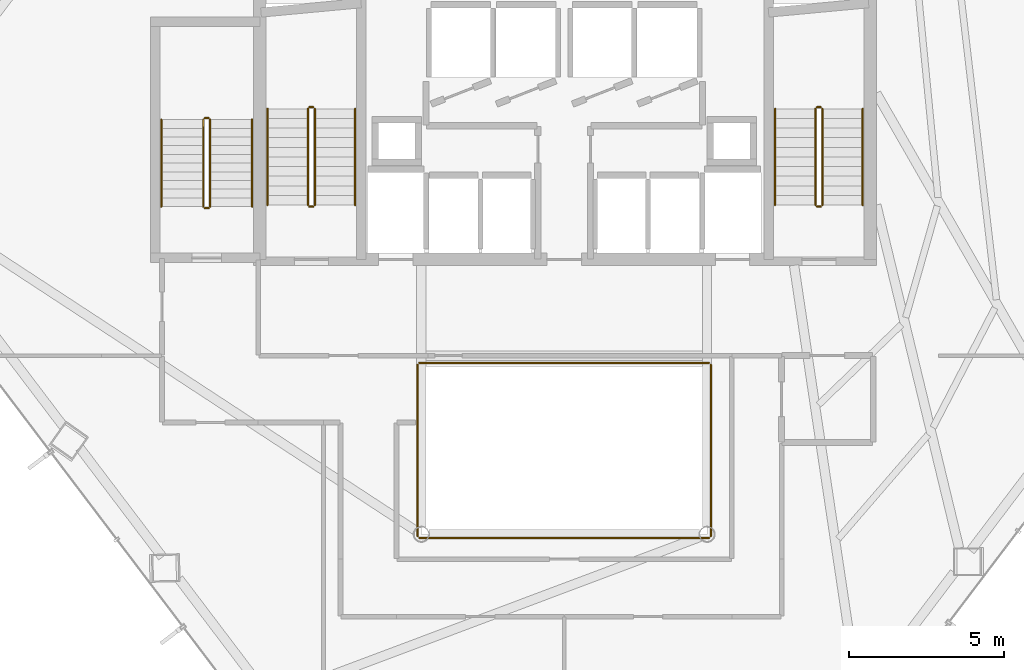
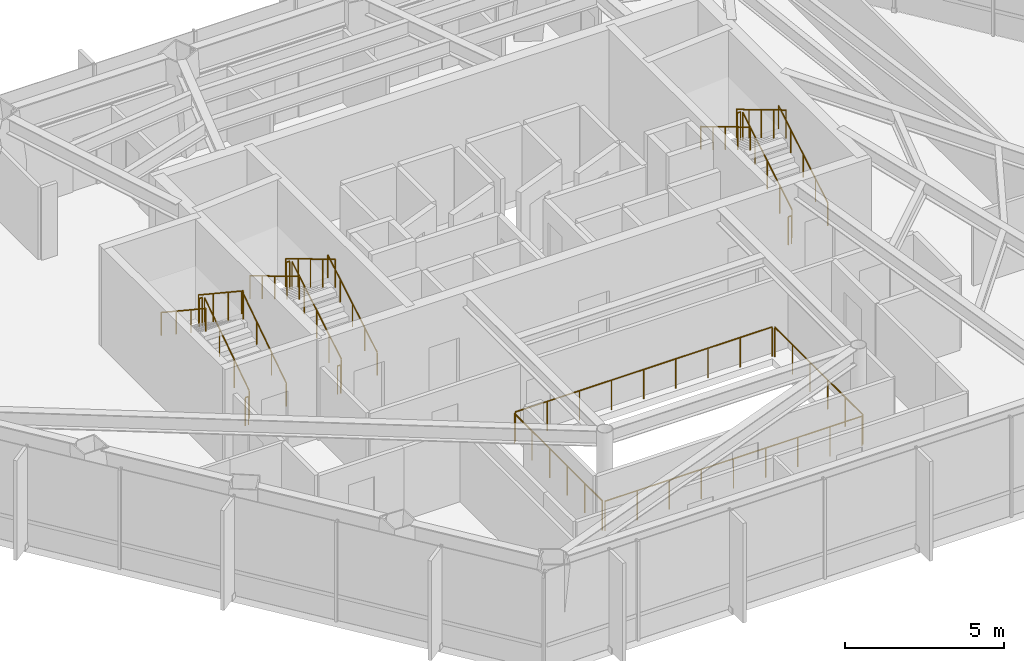
# One storey, part 27 of 27: 22 railings.
"""IFC4 building model written with IfcOpenShell, lengths in metres."""

from ifc_helpers import new_model, si_unit, direction, frame, origin, origin_2d, place, context, subcontext, project, spatial, circle, extrude, material, type_object, element, save


model = new_model("IFC4")

# Units and contexts
model_context = context("Model", 3, precision=1e-05, world=origin(), true_north=direction((0.0, 1.0)))
body_context = subcontext(model_context, "Body", "Model", "MODEL_VIEW")
ifc_project = project(units=[si_unit("LENGTHUNIT", "METRE"), si_unit("AREAUNIT", "SQUARE_METRE"), si_unit("VOLUMEUNIT", "CUBIC_METRE"), si_unit("PLANEANGLEUNIT", "RADIAN"), si_unit("MASSUNIT", "GRAM", prefix="KILO")], contexts=[model_context])

# Site, building, storey
site_placement = place(None, origin())
site = spatial("IfcSite", under=ifc_project, at=site_placement, CompositionType="ELEMENT")
building_placement = place(site_placement, origin())
building = spatial("IfcBuilding", under=site, at=building_placement, Name="Zarrinselat Tower", CompositionType="ELEMENT")
storey_placement = place(building_placement, frame((0.0, 0.0, 80.580078125)))
storey = spatial("IfcBuildingStorey", under=building, at=storey_placement, Name="L19", CompositionType="ELEMENT", Elevation=80.580078125)

# Railings
ifc_material_1 = material(Name="Double Low-E Laminated Solar Glass", Category="glass")
railing_type_1 = type_object("IfcRailingType", Name="RLG-ATRIUM-BAL", PredefinedType="BALUSTRADE", material=ifc_material_1)
railing_1_placement = place(storey_placement, frame((33.739990234375, 24.280029296875, 0.0)))
element("IfcRailing", 1, at=railing_1_placement, inside=storey, type_object=railing_type_1, Name="L19 Atrium Void Glass Balustrade S", PredefinedType="BALUSTRADE", context=body_context, shape_type="SweptSolid", body=[
    extrude(circle(Radius=0.02392578125, at=origin_2d()), frame((0.0, 0.0, 1.1259765625), z_axis=(1.0, 0.0, 0.0), x_axis=(0.0, 1.0, 0.0)), (0.0, 0.0, 1.0), 9.320068359375),
    extrude(circle(Radius=0.02099609375, at=origin_2d()), origin(), (0.0, 0.0, 1.0), 1.099853515625),
    extrude(circle(Radius=0.02099609375, at=origin_2d()), frame((1.1650390625, 0.0, 0.0)), (0.0, 0.0, 1.0), 1.099853515625),
    extrude(circle(Radius=0.02099609375, at=origin_2d()), frame((2.330078125, 0.0, 0.0)), (0.0, 0.0, 1.0), 1.099853515625),
    extrude(circle(Radius=0.02099609375, at=origin_2d()), frame((3.4951171875, 0.0, 0.0)), (0.0, 0.0, 1.0), 1.099853515625),
    extrude(circle(Radius=0.02099609375, at=origin_2d()), frame((4.66015625, 0.0, 0.0)), (0.0, 0.0, 1.0), 1.099853515625),
    extrude(circle(Radius=0.02099609375, at=origin_2d()), frame((5.824951171875, 0.0, 0.0)), (0.0, 0.0, 1.0), 1.099853515625),
    extrude(circle(Radius=0.02099609375, at=origin_2d()), frame((6.989990234375, 0.0, 0.0)), (0.0, 0.0, 1.0), 1.099853515625),
    extrude(circle(Radius=0.02099609375, at=origin_2d()), frame((8.155029296875, 0.0, 0.0)), (0.0, 0.0, 1.0), 1.099853515625),
    extrude(circle(Radius=0.02099609375, at=origin_2d()), frame((9.320068359375, 0.0, 0.0)), (0.0, 0.0, 1.0), 1.099853515625),
])
railing_2_placement = place(storey_placement, frame((43.1201171875, 24.340087890625, 0.0)))
element("IfcRailing", 2, at=railing_2_placement, inside=storey, type_object=railing_type_1, Name="L19 Atrium Void Glass Balustrade E", PredefinedType="BALUSTRADE", context=body_context, shape_type="SweptSolid", body=[
    extrude(circle(Radius=0.02392578125, at=origin_2d()), frame((0.0, 0.0, 1.1259765625), z_axis=(0.0, 1.0, 0.0), x_axis=(-1.0, 0.0, 0.0)), (0.0, 0.0, 1.0), 5.52001953125),
    extrude(circle(Radius=0.02099609375, at=origin_2d()), origin(), (0.0, 0.0, 1.0), 1.099853515625),
    extrude(circle(Radius=0.02099609375, at=origin_2d()), frame((0.0, 1.10400390625, 0.0)), (0.0, 0.0, 1.0), 1.099853515625),
    extrude(circle(Radius=0.02099609375, at=origin_2d()), frame((0.0, 2.2080078125, 0.0)), (0.0, 0.0, 1.0), 1.099853515625),
    extrude(circle(Radius=0.02099609375, at=origin_2d()), frame((0.0, 3.31201171875, 0.0)), (0.0, 0.0, 1.0), 1.099853515625),
    extrude(circle(Radius=0.02099609375, at=origin_2d()), frame((0.0, 4.416015625, 0.0)), (0.0, 0.0, 1.0), 1.099853515625),
    extrude(circle(Radius=0.02099609375, at=origin_2d()), frame((0.0, 5.52001953125, 0.0)), (0.0, 0.0, 1.0), 1.099853515625),
])
railing_3_placement = place(storey_placement, frame((43.06005859375, 29.919921875, 0.0)))
element("IfcRailing", 3, at=railing_3_placement, inside=storey, type_object=railing_type_1, Name="L19 Atrium Void Glass Balustrade N", PredefinedType="BALUSTRADE", context=body_context, shape_type="SweptSolid", body=[
    extrude(circle(Radius=0.02392578125, at=origin_2d()), frame((0.0, 0.0, 1.1259765625), z_axis=(-1.0, 0.0, 0.0), x_axis=(0.0, -1.0, 0.0)), (0.0, 0.0, 1.0), 9.320068359375),
    extrude(circle(Radius=0.02099609375, at=origin_2d()), origin(), (0.0, 0.0, 1.0), 1.099853515625),
    extrude(circle(Radius=0.02099609375, at=origin_2d()), frame((-1.1650390625, 0.0, 0.0)), (0.0, 0.0, 1.0), 1.099853515625),
    extrude(circle(Radius=0.02099609375, at=origin_2d()), frame((-2.330078125, 0.0, 0.0)), (0.0, 0.0, 1.0), 1.099853515625),
    extrude(circle(Radius=0.02099609375, at=origin_2d()), frame((-3.4951171875, 0.0, 0.0)), (0.0, 0.0, 1.0), 1.099853515625),
    extrude(circle(Radius=0.02099609375, at=origin_2d()), frame((-4.66015625, 0.0, 0.0)), (0.0, 0.0, 1.0), 1.099853515625),
    extrude(circle(Radius=0.02099609375, at=origin_2d()), frame((-5.824951171875, 0.0, 0.0)), (0.0, 0.0, 1.0), 1.099853515625),
    extrude(circle(Radius=0.02099609375, at=origin_2d()), frame((-6.989990234375, 0.0, 0.0)), (0.0, 0.0, 1.0), 1.099853515625),
    extrude(circle(Radius=0.02099609375, at=origin_2d()), frame((-8.155029296875, 0.0, 0.0)), (0.0, 0.0, 1.0), 1.099853515625),
    extrude(circle(Radius=0.02099609375, at=origin_2d()), frame((-9.320068359375, 0.0, 0.0)), (0.0, 0.0, 1.0), 1.099853515625),
])
railing_4_placement = place(storey_placement, frame((33.679931640625, 29.860107421875, 0.0)))
element("IfcRailing", 4, at=railing_4_placement, inside=storey, type_object=railing_type_1, Name="L19 Atrium Void Glass Balustrade W", PredefinedType="BALUSTRADE", context=body_context, shape_type="SweptSolid", body=[
    extrude(circle(Radius=0.02392578125, at=origin_2d()), frame((0.0, 0.0, 1.1259765625), z_axis=(0.0, -1.0, 0.0), x_axis=(1.0, 0.0, 0.0)), (0.0, 0.0, 1.0), 5.52001953125),
    extrude(circle(Radius=0.02099609375, at=origin_2d()), origin(), (0.0, 0.0, 1.0), 1.099853515625),
    extrude(circle(Radius=0.02099609375, at=origin_2d()), frame((0.0, -1.10400390625, 0.0)), (0.0, 0.0, 1.0), 1.099853515625),
    extrude(circle(Radius=0.02099609375, at=origin_2d()), frame((0.0, -2.2080078125, 0.0)), (0.0, 0.0, 1.0), 1.099853515625),
    extrude(circle(Radius=0.02099609375, at=origin_2d()), frame((0.0, -3.31201171875, 0.0)), (0.0, 0.0, 1.0), 1.099853515625),
    extrude(circle(Radius=0.02099609375, at=origin_2d()), frame((0.0, -4.416015625, 0.0)), (0.0, 0.0, 1.0), 1.099853515625),
    extrude(circle(Radius=0.02099609375, at=origin_2d()), frame((0.0, -5.52001953125, 0.0)), (0.0, 0.0, 1.0), 1.099853515625),
])
ifc_material_2 = material(Name="Steel S355J2", Category="steel")
railing_type_2 = type_object("IfcRailingType", Name="RLG-STAIR-GUARD", PredefinedType="GUARDRAIL", material=ifc_material_2)
railing_5_placement = place(storey_placement, frame((30.3701171875, 35.0, 0.185302734375)))
element("IfcRailing", 5, at=railing_5_placement, inside=storey, type_object=railing_type_2, Name="L19 ST-1 stair guard 1", PredefinedType="GUARDRAIL", context=body_context, shape_type="SweptSolid", body=[
    extrude(circle(Radius=0.02392578125, at=origin_2d()), frame((0.0, 0.0, 1.076171875), z_axis=(0.0, 0.858142210651, 0.513412062869), x_axis=(-1.0, 0.0, 0.0)), (0.0, 0.0, 1.0), 3.612548828125),
    extrude(circle(Radius=0.02099609375, at=origin_2d()), origin(), (0.0, 0.0, 1.0), 1.050048828125),
    extrude(circle(Radius=0.02099609375, at=origin_2d()), frame((0.0, 0.77490234375, 0.463623046875)), (0.0, 0.0, 1.0), 1.050048828125),
    extrude(circle(Radius=0.02099609375, at=origin_2d()), frame((0.0, 1.550048828125, 0.92724609375)), (0.0, 0.0, 1.0), 1.050048828125),
    extrude(circle(Radius=0.02099609375, at=origin_2d()), frame((0.0, 2.3251953125, 1.39111328125)), (0.0, 0.0, 1.0), 1.050048828125),
    extrude(circle(Radius=0.02099609375, at=origin_2d()), frame((0.0, 3.10009765625, 1.854736328125)), (0.0, 0.0, 1.0), 1.050048828125),
])
railing_6_placement = place(storey_placement, frame((30.320068359375, 38.14990234375, 2.0400390625)))
element("IfcRailing", 6, at=railing_6_placement, inside=storey, type_object=railing_type_2, Name="L19 ST-1 stair guard 2", PredefinedType="GUARDRAIL", context=body_context, shape_type="SweptSolid", body=[
    extrude(circle(Radius=0.02392578125, at=origin_2d()), frame((0.0, 0.0, 1.076171875), z_axis=(-1.0, 0.0, 0.0), x_axis=(0.0, -1.0, 0.0)), (0.0, 0.0, 1.0), 0.1201171875),
    extrude(circle(Radius=0.02099609375, at=origin_2d()), origin(), (0.0, 0.0, 1.0), 1.050048828125),
    extrude(circle(Radius=0.02099609375, at=origin_2d()), frame((-0.1201171875, 0.0, 0.0)), (0.0, 0.0, 1.0), 1.050048828125),
])
railing_7_placement = place(storey_placement, frame((30.14990234375, 38.10009765625, 2.225341796875)))
element("IfcRailing", 7, at=railing_7_placement, inside=storey, type_object=railing_type_2, Name="L19 ST-1 stair guard 3", PredefinedType="GUARDRAIL", context=body_context, shape_type="SweptSolid", body=[
    extrude(circle(Radius=0.02392578125, at=origin_2d()), frame((0.0, 0.0, 1.076171875), z_axis=(0.0, -0.858171985069, 0.513362293163), x_axis=(1.0, 0.0, 0.0)), (0.0, 0.0, 1.0), 3.612548828125),
    extrude(circle(Radius=0.02099609375, at=origin_2d()), origin(), (0.0, 0.0, 1.0), 1.050048828125),
    extrude(circle(Radius=0.02099609375, at=origin_2d()), frame((0.0, -0.77490234375, 0.463623046875)), (0.0, 0.0, 1.0), 1.050048828125),
    extrude(circle(Radius=0.02099609375, at=origin_2d()), frame((0.0, -1.550048828125, 0.92724609375)), (0.0, 0.0, 1.0), 1.050048828125),
    extrude(circle(Radius=0.02099609375, at=origin_2d()), frame((0.0, -2.3251953125, 1.390869140625)), (0.0, 0.0, 1.0), 1.050048828125),
    extrude(circle(Radius=0.02099609375, at=origin_2d()), frame((0.0, -3.10009765625, 1.8544921875)), (0.0, 0.0, 1.0), 1.050048828125),
])
railing_8_placement = place(storey_placement, frame((30.320068359375, 34.949951171875, 0.0)))
element("IfcRailing", 8, at=railing_8_placement, inside=storey, type_object=railing_type_2, Name="L19 ST-1 stair guard 4", PredefinedType="GUARDRAIL", context=body_context, shape_type="SweptSolid", body=[
    extrude(circle(Radius=0.02392578125, at=origin_2d()), frame((0.0, 0.0, 1.076171875), z_axis=(-1.0, 0.0, 0.0), x_axis=(0.0, -1.0, 0.0)), (0.0, 0.0, 1.0), 0.1201171875),
    extrude(circle(Radius=0.02099609375, at=origin_2d()), origin(), (0.0, 0.0, 1.0), 1.050048828125),
    extrude(circle(Radius=0.02099609375, at=origin_2d()), frame((-0.1201171875, 0.0, 0.0)), (0.0, 0.0, 1.0), 1.050048828125),
])
railing_9_placement = place(storey_placement, frame((46.7099609375, 35.0, 0.185302734375)))
element("IfcRailing", 9, at=railing_9_placement, inside=storey, type_object=railing_type_2, Name="L19 ST-2 stair guard 1", PredefinedType="GUARDRAIL", context=body_context, shape_type="SweptSolid", body=[
    extrude(circle(Radius=0.02392578125, at=origin_2d()), frame((0.0, 0.0, 1.076171875), z_axis=(0.0, 0.858142210651, 0.513412062869), x_axis=(-1.0, 0.0, 0.0)), (0.0, 0.0, 1.0), 3.612548828125),
    extrude(circle(Radius=0.02099609375, at=origin_2d()), origin(), (0.0, 0.0, 1.0), 1.050048828125),
    extrude(circle(Radius=0.02099609375, at=origin_2d()), frame((0.0, 0.77490234375, 0.463623046875)), (0.0, 0.0, 1.0), 1.050048828125),
    extrude(circle(Radius=0.02099609375, at=origin_2d()), frame((0.0, 1.550048828125, 0.92724609375)), (0.0, 0.0, 1.0), 1.050048828125),
    extrude(circle(Radius=0.02099609375, at=origin_2d()), frame((0.0, 2.3251953125, 1.39111328125)), (0.0, 0.0, 1.0), 1.050048828125),
    extrude(circle(Radius=0.02099609375, at=origin_2d()), frame((0.0, 3.10009765625, 1.854736328125)), (0.0, 0.0, 1.0), 1.050048828125),
])
railing_10_placement = place(storey_placement, frame((46.659912109375, 38.14990234375, 2.0400390625)))
element("IfcRailing", 10, at=railing_10_placement, inside=storey, type_object=railing_type_2, Name="L19 ST-2 stair guard 2", PredefinedType="GUARDRAIL", context=body_context, shape_type="SweptSolid", body=[
    extrude(circle(Radius=0.02392578125, at=origin_2d()), frame((0.0, 0.0, 1.076171875), z_axis=(-1.0, 0.0, 0.0), x_axis=(0.0, -1.0, 0.0)), (0.0, 0.0, 1.0), 0.119873046875),
    extrude(circle(Radius=0.02099609375, at=origin_2d()), origin(), (0.0, 0.0, 1.0), 1.050048828125),
    extrude(circle(Radius=0.02099609375, at=origin_2d()), frame((-0.119873046875, 0.0, 0.0)), (0.0, 0.0, 1.0), 1.050048828125),
])
railing_11_placement = place(storey_placement, frame((46.489990234375, 38.10009765625, 2.225341796875)))
element("IfcRailing", 11, at=railing_11_placement, inside=storey, type_object=railing_type_2, Name="L19 ST-2 stair guard 3", PredefinedType="GUARDRAIL", context=body_context, shape_type="SweptSolid", body=[
    extrude(circle(Radius=0.02392578125, at=origin_2d()), frame((0.0, 0.0, 1.076171875), z_axis=(0.0, -0.858171985069, 0.513362293163), x_axis=(1.0, 0.0, 0.0)), (0.0, 0.0, 1.0), 3.612548828125),
    extrude(circle(Radius=0.02099609375, at=origin_2d()), origin(), (0.0, 0.0, 1.0), 1.050048828125),
    extrude(circle(Radius=0.02099609375, at=origin_2d()), frame((0.0, -0.77490234375, 0.463623046875)), (0.0, 0.0, 1.0), 1.050048828125),
    extrude(circle(Radius=0.02099609375, at=origin_2d()), frame((0.0, -1.550048828125, 0.92724609375)), (0.0, 0.0, 1.0), 1.050048828125),
    extrude(circle(Radius=0.02099609375, at=origin_2d()), frame((0.0, -2.3251953125, 1.390869140625)), (0.0, 0.0, 1.0), 1.050048828125),
    extrude(circle(Radius=0.02099609375, at=origin_2d()), frame((0.0, -3.10009765625, 1.8544921875)), (0.0, 0.0, 1.0), 1.050048828125),
])
railing_12_placement = place(storey_placement, frame((46.659912109375, 34.949951171875, 0.0)))
element("IfcRailing", 12, at=railing_12_placement, inside=storey, type_object=railing_type_2, Name="L19 ST-2 stair guard 4", PredefinedType="GUARDRAIL", context=body_context, shape_type="SweptSolid", body=[
    extrude(circle(Radius=0.02392578125, at=origin_2d()), frame((0.0, 0.0, 1.076171875), z_axis=(-1.0, 0.0, 0.0), x_axis=(0.0, -1.0, 0.0)), (0.0, 0.0, 1.0), 0.119873046875),
    extrude(circle(Radius=0.02099609375, at=origin_2d()), origin(), (0.0, 0.0, 1.0), 1.050048828125),
    extrude(circle(Radius=0.02099609375, at=origin_2d()), frame((-0.119873046875, 0.0, 0.0)), (0.0, 0.0, 1.0), 1.050048828125),
])
railing_13_placement = place(storey_placement, frame((27.0, 34.949951171875, 0.185302734375)))
element("IfcRailing", 13, at=railing_13_placement, inside=storey, type_object=railing_type_2, Name="L19 ST-3 stair guard 1", PredefinedType="GUARDRAIL", context=body_context, shape_type="SweptSolid", body=[
    extrude(circle(Radius=0.02392578125, at=origin_2d()), frame((0.0, 0.0, 1.076171875), z_axis=(0.0, 0.833690570297, 0.55223186525), x_axis=(-1.0, 0.0, 0.0)), (0.0, 0.0, 1.0), 3.358642578125),
    extrude(circle(Radius=0.02099609375, at=origin_2d()), origin(), (0.0, 0.0, 1.0), 1.050048828125),
    extrude(circle(Radius=0.02099609375, at=origin_2d()), frame((0.0, 0.933349609375, 0.6181640625)), (0.0, 0.0, 1.0), 1.050048828125),
    extrude(circle(Radius=0.02099609375, at=origin_2d()), frame((0.0, 1.86669921875, 1.236572265625)), (0.0, 0.0, 1.0), 1.050048828125),
    extrude(circle(Radius=0.02099609375, at=origin_2d()), frame((0.0, 2.800048828125, 1.854736328125)), (0.0, 0.0, 1.0), 1.050048828125),
])
railing_14_placement = place(storey_placement, frame((26.949951171875, 37.800048828125, 2.0400390625)))
element("IfcRailing", 14, at=railing_14_placement, inside=storey, type_object=railing_type_2, Name="L19 ST-3 stair guard 2", PredefinedType="GUARDRAIL", context=body_context, shape_type="SweptSolid", body=[
    extrude(circle(Radius=0.02392578125, at=origin_2d()), frame((0.0, 0.0, 1.076171875), z_axis=(-1.0, 0.0, 0.0), x_axis=(0.0, -1.0, 0.0)), (0.0, 0.0, 1.0), 0.119873046875),
    extrude(circle(Radius=0.02099609375, at=origin_2d()), origin(), (0.0, 0.0, 1.0), 1.050048828125),
    extrude(circle(Radius=0.02099609375, at=origin_2d()), frame((-0.119873046875, 0.0, 0.0)), (0.0, 0.0, 1.0), 1.050048828125),
])
railing_15_placement = place(storey_placement, frame((26.780029296875, 37.75, 2.225341796875)))
element("IfcRailing", 15, at=railing_15_placement, inside=storey, type_object=railing_type_2, Name="L19 ST-3 stair guard 3", PredefinedType="GUARDRAIL", context=body_context, shape_type="SweptSolid", body=[
    extrude(circle(Radius=0.02392578125, at=origin_2d()), frame((0.0, 0.0, 1.076171875), z_axis=(0.0, -0.833724036255, 0.552181339209), x_axis=(1.0, 0.0, 0.0)), (0.0, 0.0, 1.0), 3.3583984375),
    extrude(circle(Radius=0.02099609375, at=origin_2d()), origin(), (0.0, 0.0, 1.0), 1.050048828125),
    extrude(circle(Radius=0.02099609375, at=origin_2d()), frame((0.0, -0.933349609375, 0.6181640625)), (0.0, 0.0, 1.0), 1.050048828125),
    extrude(circle(Radius=0.02099609375, at=origin_2d()), frame((0.0, -1.86669921875, 1.236328125)), (0.0, 0.0, 1.0), 1.050048828125),
    extrude(circle(Radius=0.02099609375, at=origin_2d()), frame((0.0, -2.800048828125, 1.8544921875)), (0.0, 0.0, 1.0), 1.050048828125),
])
railing_16_placement = place(storey_placement, frame((26.949951171875, 34.89990234375, 0.0)))
element("IfcRailing", 16, at=railing_16_placement, inside=storey, type_object=railing_type_2, Name="L19 ST-3 stair guard 4", PredefinedType="GUARDRAIL", context=body_context, shape_type="SweptSolid", body=[
    extrude(circle(Radius=0.02392578125, at=origin_2d()), frame((0.0, 0.0, 1.076171875), z_axis=(-1.0, 0.0, 0.0), x_axis=(0.0, -1.0, 0.0)), (0.0, 0.0, 1.0), 0.119873046875),
    extrude(circle(Radius=0.02099609375, at=origin_2d()), origin(), (0.0, 0.0, 1.0), 1.050048828125),
    extrude(circle(Radius=0.02099609375, at=origin_2d()), frame((-0.119873046875, 0.0, 0.0)), (0.0, 0.0, 1.0), 1.050048828125),
])
ifc_material_3 = material(Name="Steel S355J2", Category="steel")
railing_type_3 = type_object("IfcRailingType", Name="RLG-STAIR-HAND", PredefinedType="HANDRAIL", material=ifc_material_3)
railing_17_placement = place(storey_placement, frame((31.669921875, 35.0, 0.185302734375)))
element("IfcRailing", 17, at=railing_17_placement, inside=storey, type_object=railing_type_3, Name="L19 ST-1 stair handrail 1", PredefinedType="HANDRAIL", context=body_context, shape_type="SweptSolid", body=[
    extrude(circle(Radius=0.02392578125, at=origin_2d()), frame((0.0, 0.0, 0.8759765625), z_axis=(0.0, 0.858142210651, 0.513412062869), x_axis=(-1.0, 0.0, 0.0)), (0.0, 0.0, 1.0), 3.612548828125),
    extrude(circle(Radius=0.02099609375, at=origin_2d()), origin(), (0.0, 0.0, 1.0), 0.849853515625),
    extrude(circle(Radius=0.02099609375, at=origin_2d()), frame((0.0, 0.77490234375, 0.463623046875)), (0.0, 0.0, 1.0), 0.849853515625),
    extrude(circle(Radius=0.02099609375, at=origin_2d()), frame((0.0, 1.550048828125, 0.92724609375)), (0.0, 0.0, 1.0), 0.849853515625),
    extrude(circle(Radius=0.02099609375, at=origin_2d()), frame((0.0, 2.3251953125, 1.39111328125)), (0.0, 0.0, 1.0), 0.849853515625),
    extrude(circle(Radius=0.02099609375, at=origin_2d()), frame((0.0, 3.10009765625, 1.854736328125)), (0.0, 0.0, 1.0), 0.849853515625),
])
railing_18_placement = place(storey_placement, frame((28.85009765625, 38.10009765625, 2.225341796875)))
element("IfcRailing", 18, at=railing_18_placement, inside=storey, type_object=railing_type_3, Name="L19 ST-1 stair handrail 2", PredefinedType="HANDRAIL", context=body_context, shape_type="SweptSolid", body=[
    extrude(circle(Radius=0.02392578125, at=origin_2d()), frame((0.0, 0.0, 0.8759765625), z_axis=(0.0, -0.858171985069, 0.513362293163), x_axis=(1.0, 0.0, 0.0)), (0.0, 0.0, 1.0), 3.612548828125),
    extrude(circle(Radius=0.02099609375, at=origin_2d()), origin(), (0.0, 0.0, 1.0), 0.849853515625),
    extrude(circle(Radius=0.02099609375, at=origin_2d()), frame((0.0, -0.77490234375, 0.463623046875)), (0.0, 0.0, 1.0), 0.849853515625),
    extrude(circle(Radius=0.02099609375, at=origin_2d()), frame((0.0, -1.550048828125, 0.92724609375)), (0.0, 0.0, 1.0), 0.849853515625),
    extrude(circle(Radius=0.02099609375, at=origin_2d()), frame((0.0, -2.3251953125, 1.390869140625)), (0.0, 0.0, 1.0), 0.849853515625),
    extrude(circle(Radius=0.02099609375, at=origin_2d()), frame((0.0, -3.10009765625, 1.8544921875)), (0.0, 0.0, 1.0), 0.849853515625),
])
railing_19_placement = place(storey_placement, frame((48.010009765625, 35.0, 0.185302734375)))
element("IfcRailing", 19, at=railing_19_placement, inside=storey, type_object=railing_type_3, Name="L19 ST-2 stair handrail 1", PredefinedType="HANDRAIL", context=body_context, shape_type="SweptSolid", body=[
    extrude(circle(Radius=0.02392578125, at=origin_2d()), frame((0.0, 0.0, 0.8759765625), z_axis=(0.0, 0.858142210651, 0.513412062869), x_axis=(-1.0, 0.0, 0.0)), (0.0, 0.0, 1.0), 3.612548828125),
    extrude(circle(Radius=0.02099609375, at=origin_2d()), origin(), (0.0, 0.0, 1.0), 0.849853515625),
    extrude(circle(Radius=0.02099609375, at=origin_2d()), frame((0.0, 0.77490234375, 0.463623046875)), (0.0, 0.0, 1.0), 0.849853515625),
    extrude(circle(Radius=0.02099609375, at=origin_2d()), frame((0.0, 1.550048828125, 0.92724609375)), (0.0, 0.0, 1.0), 0.849853515625),
    extrude(circle(Radius=0.02099609375, at=origin_2d()), frame((0.0, 2.3251953125, 1.39111328125)), (0.0, 0.0, 1.0), 0.849853515625),
    extrude(circle(Radius=0.02099609375, at=origin_2d()), frame((0.0, 3.10009765625, 1.854736328125)), (0.0, 0.0, 1.0), 0.849853515625),
])
railing_20_placement = place(storey_placement, frame((45.18994140625, 38.10009765625, 2.225341796875)))
element("IfcRailing", 20, at=railing_20_placement, inside=storey, type_object=railing_type_3, Name="L19 ST-2 stair handrail 2", PredefinedType="HANDRAIL", context=body_context, shape_type="SweptSolid", body=[
    extrude(circle(Radius=0.02392578125, at=origin_2d()), frame((0.0, 0.0, 0.8759765625), z_axis=(0.0, -0.858171985069, 0.513362293163), x_axis=(1.0, 0.0, 0.0)), (0.0, 0.0, 1.0), 3.612548828125),
    extrude(circle(Radius=0.02099609375, at=origin_2d()), origin(), (0.0, 0.0, 1.0), 0.849853515625),
    extrude(circle(Radius=0.02099609375, at=origin_2d()), frame((0.0, -0.77490234375, 0.463623046875)), (0.0, 0.0, 1.0), 0.849853515625),
    extrude(circle(Radius=0.02099609375, at=origin_2d()), frame((0.0, -1.550048828125, 0.92724609375)), (0.0, 0.0, 1.0), 0.849853515625),
    extrude(circle(Radius=0.02099609375, at=origin_2d()), frame((0.0, -2.3251953125, 1.390869140625)), (0.0, 0.0, 1.0), 0.849853515625),
    extrude(circle(Radius=0.02099609375, at=origin_2d()), frame((0.0, -3.10009765625, 1.8544921875)), (0.0, 0.0, 1.0), 0.849853515625),
])
railing_21_placement = place(storey_placement, frame((28.35009765625, 34.949951171875, 0.185302734375)))
element("IfcRailing", 21, at=railing_21_placement, inside=storey, type_object=railing_type_3, Name="L19 ST-3 stair handrail 1", PredefinedType="HANDRAIL", context=body_context, shape_type="SweptSolid", body=[
    extrude(circle(Radius=0.02392578125, at=origin_2d()), frame((0.0, 0.0, 0.8759765625), z_axis=(0.0, 0.833690570297, 0.55223186525), x_axis=(-1.0, 0.0, 0.0)), (0.0, 0.0, 1.0), 3.358642578125),
    extrude(circle(Radius=0.02099609375, at=origin_2d()), origin(), (0.0, 0.0, 1.0), 0.849853515625),
    extrude(circle(Radius=0.02099609375, at=origin_2d()), frame((0.0, 0.933349609375, 0.6181640625)), (0.0, 0.0, 1.0), 0.849853515625),
    extrude(circle(Radius=0.02099609375, at=origin_2d()), frame((0.0, 1.86669921875, 1.236572265625)), (0.0, 0.0, 1.0), 0.849853515625),
    extrude(circle(Radius=0.02099609375, at=origin_2d()), frame((0.0, 2.800048828125, 1.854736328125)), (0.0, 0.0, 1.0), 0.849853515625),
])
railing_22_placement = place(storey_placement, frame((25.429931640625, 37.75, 2.225341796875)))
element("IfcRailing", 22, at=railing_22_placement, inside=storey, type_object=railing_type_3, Name="L19 ST-3 stair handrail 2", PredefinedType="HANDRAIL", context=body_context, shape_type="SweptSolid", body=[
    extrude(circle(Radius=0.02392578125, at=origin_2d()), frame((0.0, 0.0, 0.8759765625), z_axis=(0.0, -0.833724036255, 0.552181339209), x_axis=(1.0, 0.0, 0.0)), (0.0, 0.0, 1.0), 3.3583984375),
    extrude(circle(Radius=0.02099609375, at=origin_2d()), origin(), (0.0, 0.0, 1.0), 0.849853515625),
    extrude(circle(Radius=0.02099609375, at=origin_2d()), frame((0.0, -0.933349609375, 0.6181640625)), (0.0, 0.0, 1.0), 0.849853515625),
    extrude(circle(Radius=0.02099609375, at=origin_2d()), frame((0.0, -1.86669921875, 1.236328125)), (0.0, 0.0, 1.0), 0.849853515625),
    extrude(circle(Radius=0.02099609375, at=origin_2d()), frame((0.0, -2.800048828125, 1.8544921875)), (0.0, 0.0, 1.0), 0.849853515625),
])

save(model, "model.ifc")
